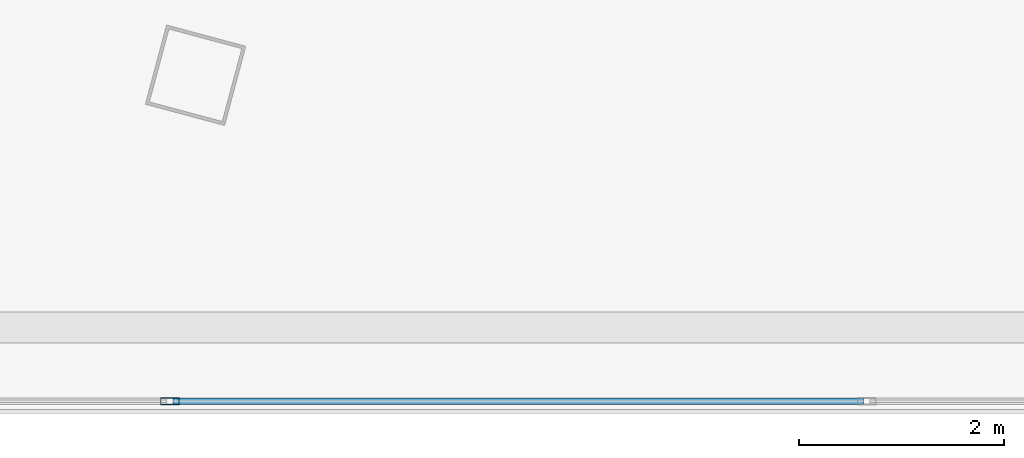
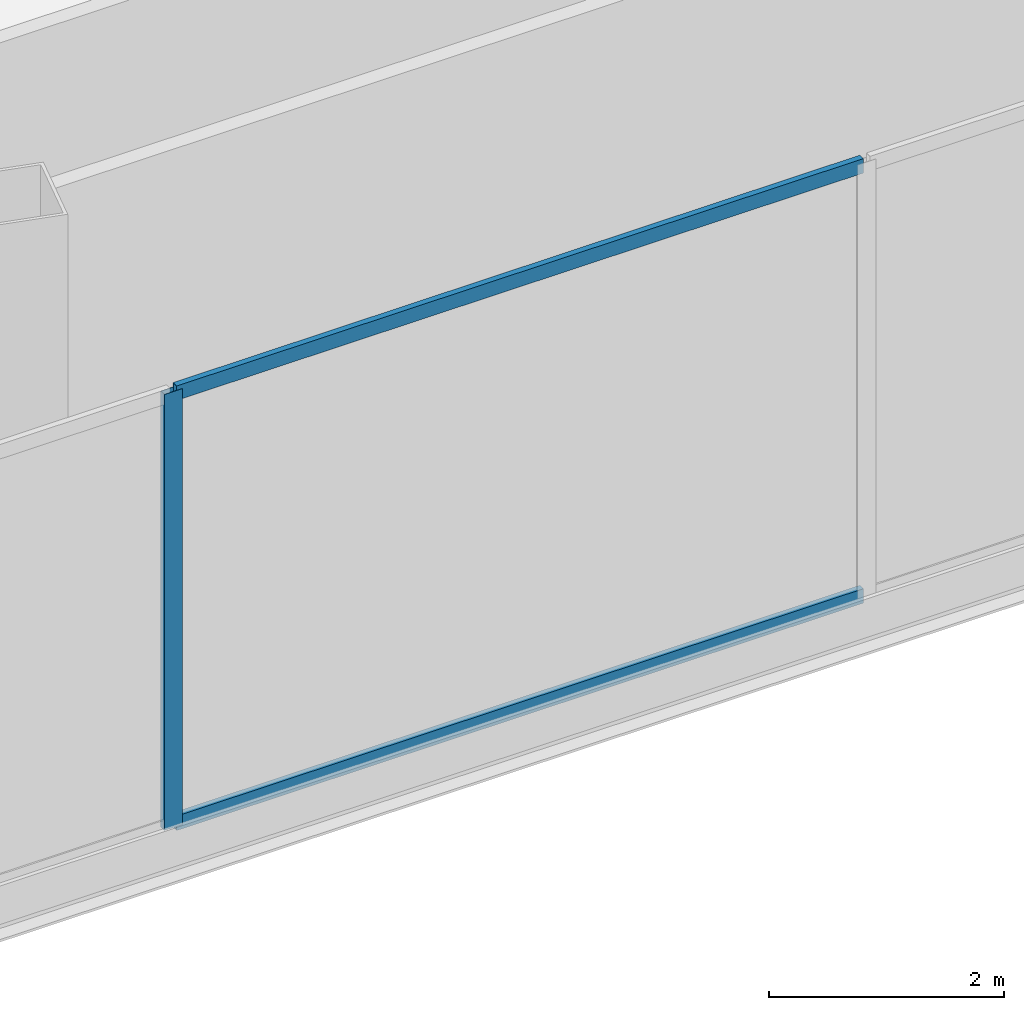
# One storey, part 7 of 40: 3 members, 1 element without a shape of its own.
"""IFC4 building model written with IfcOpenShell, lengths in metres."""

from ifc_helpers import new_model, si_unit, direction, frame, origin, origin_2d, place, context, subcontext, project, spatial, hollow_rectangle, extrude, source, transform, mapped, material, layer, layer_set, material_profile, profile_set, type_object, element, aggregate, save


model = new_model("IFC4")

# Units and contexts
model_context = context("Model", 3, precision=1e-05, world=origin(), true_north=direction((0.0, 1.0)))
body_context = subcontext(model_context, "Body", "Model", "MODEL_VIEW")
ifc_project = project(units=[si_unit("LENGTHUNIT", "METRE"), si_unit("AREAUNIT", "SQUARE_METRE"), si_unit("VOLUMEUNIT", "CUBIC_METRE"), si_unit("PLANEANGLEUNIT", "RADIAN"), si_unit("MASSUNIT", "GRAM", prefix="KILO"), si_unit("THERMODYNAMICTEMPERATUREUNIT", "KELVIN"), si_unit("POWERUNIT", "WATT")], contexts=[model_context])

# Site, building, storey
site_placement = place(None, origin())
site = spatial("IfcSite", under=ifc_project, at=site_placement, CompositionType="ELEMENT")
building_placement = place(site_placement, origin())
building = spatial("IfcBuilding", under=site, at=building_placement, Name="Yunzhuo Pagoda Commons", CompositionType="ELEMENT")
storey_placement = place(building_placement, frame((0.0, 0.0, 14.39990234375)))
storey = spatial("IfcBuildingStorey", under=building, at=storey_placement, Name="L04", CompositionType="ELEMENT", Elevation=14.39990234375)

# Curtain wall, members
ifc_material = material(Name="Anodized aluminium 6063-T6", Category="aluminium")
ifc_layer = layer(ifc_material, 0.179931640625)
ifc_layer_set = layer_set([ifc_layer], Name="Anodized aluminium 6063-T6")
curtain_wall_type = type_object("IfcCurtainWallType", Name="CW-POD Waterfront Podium Curtain Wall", PredefinedType="NOTDEFINED", material=ifc_layer_set)
curtain_wall_placement = place(storey_placement, origin())
curtain_wall = element("IfcCurtainWall", 1, at=curtain_wall_placement, inside=storey, type_object=curtain_wall_type, Name="L04 curtain wall CW-L04-S3", PredefinedType="NOTDEFINED")
ifc_material_profile_1 = material_profile(ifc_material, hollow_rectangle(XDim=0.06494140625, YDim=0.179931640625, WallThickness=0.00390625, at=origin_2d()), Name="Anodized aluminium 6063-T6")
ifc_profile_set_1 = profile_set([ifc_material_profile_1], Name="Anodized aluminium 6063-T6")
member_type_1 = type_object("IfcMemberType", Name="CW-POD-M Mullion RHS 180x65x4", PredefinedType="MULLION", material=ifc_profile_set_1)
shared_shape_1 = source(origin(), body_context, "Body", "SweptSolid", [
    extrude(hollow_rectangle(XDim=0.06494140625, YDim=0.179931640625, WallThickness=0.00390625, at=origin_2d()), origin(), (0.0, 0.0, 1.0), 4.52001953125),
])
member_1_placement = place(storey_placement, frame((41.199951171875, 6.080078125, 0.0), z_axis=(0.0, 0.0, 1.0), x_axis=(0.0, 1.0, 0.0)))
member_1 = element("IfcMember", 2, at=member_1_placement, type_object=member_type_1, Name="CW mullion 2", PredefinedType="MULLION", context=body_context, shape_type="MappedRepresentation", body=[
    mapped(shared_shape_1, transform((0.0, 0.0, 0.0), scale=1.0)),
])
ifc_material_profile_2 = material_profile(ifc_material, hollow_rectangle(XDim=0.06005859375, YDim=0.14990234375, WallThickness=0.00390625, at=origin_2d()), Name="Anodized aluminium 6063-T6")
ifc_profile_set_2 = profile_set([ifc_material_profile_2], Name="Anodized aluminium 6063-T6")
member_type_2 = type_object("IfcMemberType", Name="CW-POD-T Transom RHS 150x60x4", PredefinedType="USERDEFINED", material=ifc_profile_set_2)
shared_shape_2 = source(origin(), body_context, "Body", "SweptSolid", [
    extrude(hollow_rectangle(XDim=0.06005859375, YDim=0.14990234375, WallThickness=0.00390625, at=origin_2d()), origin(), (0.0, 0.0, 1.0), 6.735107421875),
])
member_2_placement = place(storey_placement, frame((41.232421875, 6.080078125, 0.030029296875), z_axis=(1.0, 0.0, 0.0), x_axis=(0.0, 1.0, 0.0)))
member_2 = element("IfcMember", 3, at=member_2_placement, type_object=member_type_2, Name="CW transom 2.1", ObjectType="TRANSOM", PredefinedType="USERDEFINED", context=body_context, shape_type="MappedRepresentation", body=[
    mapped(shared_shape_2, transform((0.0, 0.0, 0.0), scale=1.0)),
])
member_3_placement = place(storey_placement, frame((41.232421875, 6.080078125, 4.489990234375), z_axis=(1.0, 0.0, 0.0), x_axis=(0.0, 1.0, 0.0)))
member_3 = element("IfcMember", 4, at=member_3_placement, type_object=member_type_2, Name="CW transom 2.2", ObjectType="TRANSOM", PredefinedType="USERDEFINED", context=body_context, shape_type="MappedRepresentation", body=[
    mapped(shared_shape_2, transform((0.0, 0.0, 0.0), scale=1.0)),
])
aggregate(curtain_wall, [member_1, member_2, member_3])

save(model, "model.ifc")
